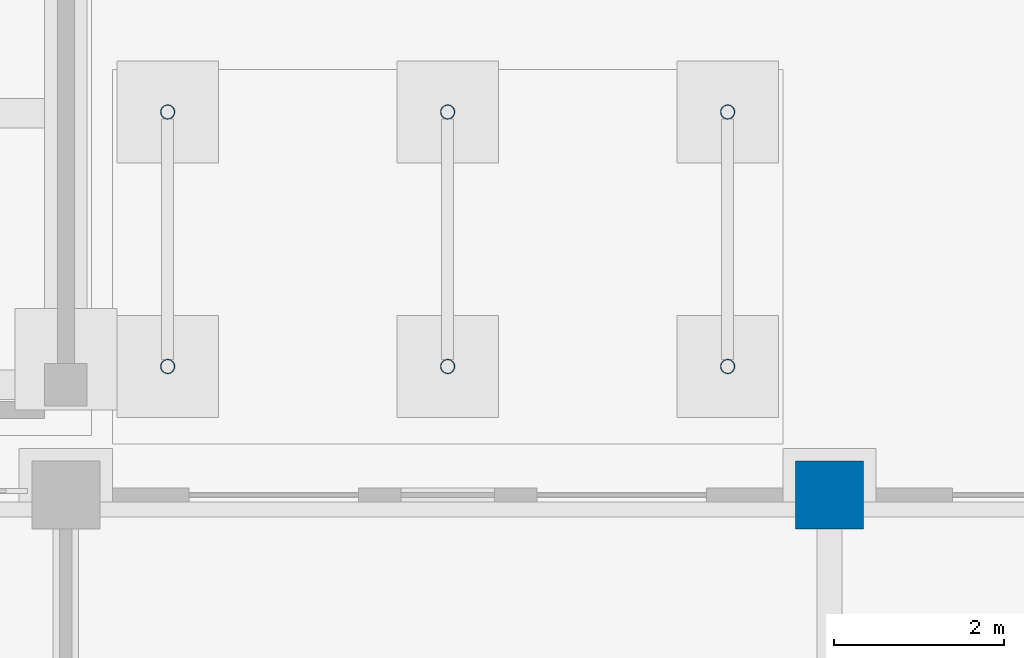
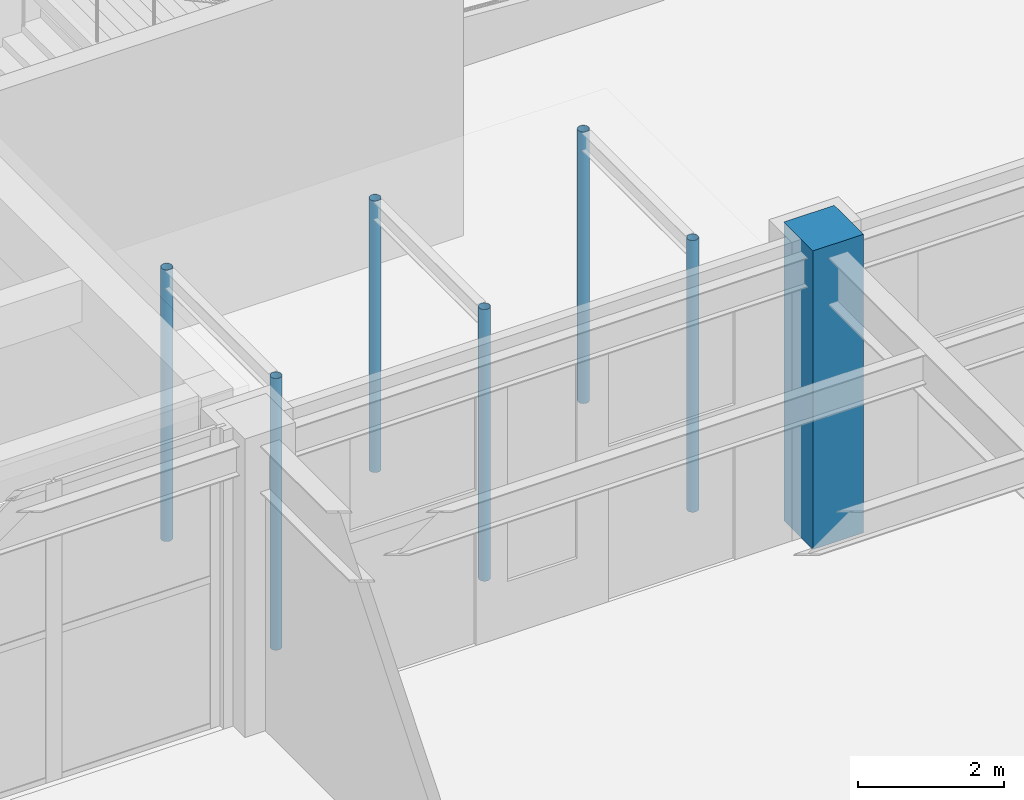
# One storey, part 13 of 77: 7 columns.
"""IFC4 building model written with IfcOpenShell, lengths in metres."""

from ifc_helpers import new_model, si_unit, direction, frame, origin, origin_2d, place, context, subcontext, project, spatial, rectangle, hollow_circle, extrude, material, material_profile, profile_set, type_object, element, save


model = new_model("IFC4")

# Units and contexts
model_context = context("Model", 3, precision=1e-05, world=origin(), true_north=direction((0.0, 1.0)))
body_context = subcontext(model_context, "Body", "Model", "MODEL_VIEW")
ifc_project = project(units=[si_unit("LENGTHUNIT", "METRE"), si_unit("AREAUNIT", "SQUARE_METRE"), si_unit("VOLUMEUNIT", "CUBIC_METRE"), si_unit("PLANEANGLEUNIT", "RADIAN"), si_unit("MASSUNIT", "GRAM", prefix="KILO")], contexts=[model_context])

# Site, building, storey
site_placement = place(None, origin())
site = spatial("IfcSite", under=ifc_project, at=site_placement, CompositionType="ELEMENT")
building_placement = place(site_placement, origin())
building = spatial("IfcBuilding", under=site, at=building_placement, Name="Aravalli Gate Trade Fair Centre", CompositionType="ELEMENT")
storey_placement = place(building_placement, origin())
storey = spatial("IfcBuildingStorey", under=building, at=storey_placement, Name="L00", CompositionType="ELEMENT", Elevation=0.0)

# Columns
ifc_material_1 = material(Name="Steel E350", Category="steel")
ifc_material_profile_1 = material_profile(ifc_material_1, hollow_circle(Radius=0.084228515625, WallThickness=0.0048828125, at=origin_2d()), Name="CHS 168.3x5")
ifc_profile_set_1 = profile_set([ifc_material_profile_1], Name="Steel E350")
column_type_1 = type_object("IfcColumnType", Name="CHS 168.3x5 canopy post", PredefinedType="COLUMN", material=ifc_profile_set_1)
for number, where, z_axis, x_axis, name in (
    (1, (142.199951171875, 134.51416015625, -0.199951171875), (0.0, 0.0, 1.0), (1.0, 0.0, 0.0), "Canopy post east 1a"),
    (2, (142.199951171875, 137.51416015625, -0.199951171875), (0.0, 0.0, 1.0), (1.0, 0.0, 0.0), "Canopy post east 1b"),
    (3, (145.5, 134.51416015625, -0.199951171875), (0.0, 0.0, 1.0), (1.0, 0.0, 0.0), "Canopy post east 2a"),
    (4, (145.5, 137.51416015625, -0.199951171875), (0.0, 0.0, 1.0), (1.0, 0.0, 0.0), "Canopy post east 2b"),
    (5, (148.800048828125, 134.51416015625, -0.199951171875), (0.0, 0.0, 1.0), (1.0, 0.0, 0.0), "Canopy post east 3a"),
    (6, (148.800048828125, 137.51416015625, -0.199951171875), (0.0, 0.0, 1.0), (1.0, 0.0, 0.0), "Canopy post east 3b"),
):
    element("IfcColumn", number, at=place(storey_placement, frame(where, z_axis=z_axis, x_axis=x_axis)), inside=storey, type_object=column_type_1, Name=name, PredefinedType="COLUMN", context=body_context, shape_type="SweptSolid", body=[
        extrude(hollow_circle(Radius=0.084228515625, WallThickness=0.0048828125, at=origin_2d()), origin(), (0.0, 0.0, 1.0), 4.550048828125),
    ])
ifc_material_2 = material(Name="Concrete M45", Category="concrete")
ifc_material_profile_2 = material_profile(ifc_material_2, rectangle(XDim=0.800048828125, YDim=0.800048828125, at=origin_2d()), Name="RC column 800 x 800")
ifc_profile_set_2 = profile_set([ifc_material_profile_2], Name="Concrete M45")
column_type_2 = type_object("IfcColumnType", Name="RC column 800 x 800", PredefinedType="COLUMN", material=ifc_profile_set_2)
column_placement = place(storey_placement, frame((150.0, 133.0, 0.0), z_axis=(0.0, 0.0, 1.0), x_axis=(1.0, 0.0, 0.0)))
element("IfcColumn", 7, at=column_placement, inside=storey, type_object=column_type_2, Name="Concourse column K17 L00", PredefinedType="COLUMN", context=body_context, shape_type="SweptSolid", body=[
    extrude(rectangle(XDim=0.800048828125, YDim=0.800048828125, at=origin_2d()), origin(), (0.0, 0.0, 1.0), 5.0),
])

save(model, "model.ifc")
